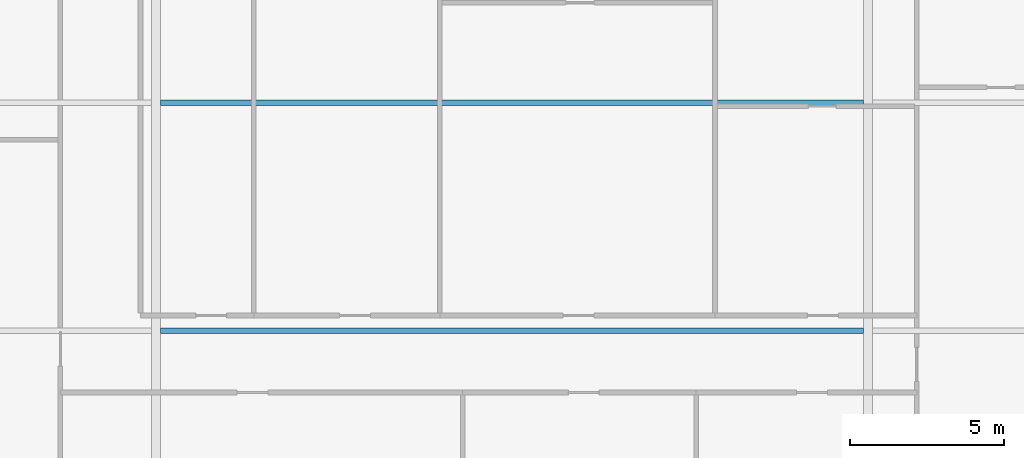
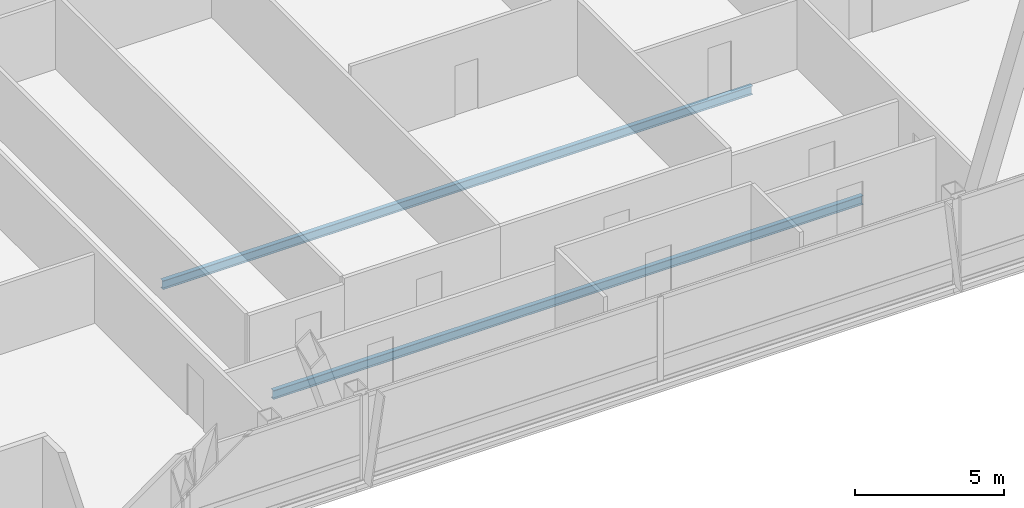
# One storey, part 8 of 29: 2 beams.
"""IFC4 building model written with IfcOpenShell, lengths in metres."""

import ifcopenshell
import ifcopenshell.guid

model = None  # the IFC model being written
_history = None  # IfcOwnerHistory: only IFC2X3 demands one
_inside = {}  # id of a spatial element -> (the spatial element, [elements in it])
_under = {}  # id of a project, library or spatial element -> (it, [spatial elements below it])
_declared = {}  # id of a project -> (the project, [libraries it declares])
_typed = {}  # id of a type object -> (the type object, [elements of that type])
_made_of = {}  # id of a material, layer set ... -> (it, [elements and type objects made of it])


def new_model(schema):
    """Start an empty IFC model of exactly this schema.

    Asked for "IFC4X3", IfcOpenShell would pick the latest addendum, in which some entities
    have other attributes; the version numbers below select the first issue.
    IFC2X3 requires an IfcOwnerHistory on every rooted entity: one is made here for all.
    """
    global model, _history
    if schema == "IFC4X3":
        model = ifcopenshell.file(schema_version=(4, 3, 0, 0))
    else:
        model = ifcopenshell.file(schema=schema)
    _inside.clear()
    _under.clear()
    _declared.clear()
    _typed.clear()
    _made_of.clear()
    _history = None
    if model.schema == "IFC2X3":
        org = make("IfcOrganization", Name="unknown")
        user = make(
            "IfcPersonAndOrganization",
            ThePerson=make("IfcPerson", FamilyName="unknown"),
            TheOrganization=org,
        )
        app = make(
            "IfcApplication",
            ApplicationDeveloper=org,
            Version="unknown",
            ApplicationFullName="unknown",
            ApplicationIdentifier="unknown",
        )
        _history = make(
            "IfcOwnerHistory",
            OwningUser=user,
            OwningApplication=app,
            ChangeAction="ADDED",
            CreationDate=0,
        )
    return model


def make(cls, **values):
    """One entity of the class cls with the attributes given. An attribute that is None is left unset."""
    return model.create_entity(
        cls, **{name: value for name, value in values.items() if value is not None}
    )


def rooted(cls, **values):
    """An entity with a GlobalId (a new one), such as an element, a storey or a relation."""
    return make(cls, GlobalId=ifcopenshell.guid.new(), OwnerHistory=_history, **values)


def si_unit(unit_type, name, prefix=None):
    """IfcSIUnit, for example si_unit("LENGTHUNIT", "METRE", prefix="MILLI")."""
    return make("IfcSIUnit", UnitType=unit_type, Prefix=prefix, Name=name)


def assignment(units):
    """IfcUnitAssignment: the units of a project."""
    return None if units is None else make("IfcUnitAssignment", Units=units)


def point(xyz):
    """IfcCartesianPoint."""
    return None if xyz is None else make("IfcCartesianPoint", Coordinates=xyz)


def direction(xyz):
    """IfcDirection."""
    return None if xyz is None else make("IfcDirection", DirectionRatios=xyz)


def frame(location, z_axis=None, x_axis=None):
    """IfcAxis2Placement3D, a coordinate frame: its origin and axes. An axis left out is left unset."""
    return make(
        "IfcAxis2Placement3D",
        Location=point(location),
        Axis=direction(z_axis),
        RefDirection=direction(x_axis),
    )


def frame_2d(location, x_axis=None):
    """IfcAxis2Placement2D, a coordinate frame in the plane: its origin and x axis."""
    return make(
        "IfcAxis2Placement2D", Location=point(location), RefDirection=direction(x_axis)
    )


def origin():
    """The frame at (0, 0, 0) with its axes left unset."""
    return frame((0.0, 0.0, 0.0))


def origin_2d():
    """The frame at (0, 0) in the plane with its x axis left unset."""
    return frame_2d((0.0, 0.0))


def place(relative_to, where):
    """IfcLocalPlacement: puts the frame where relative to a parent placement (None: the world)."""
    return make(
        "IfcLocalPlacement", PlacementRelTo=relative_to, RelativePlacement=where
    )


def context(
    kind, dimensions, precision=None, world=None, true_north=None, identifier=None
):
    """IfcGeometricRepresentationContext, for example the 3D "Model" context."""
    return make(
        "IfcGeometricRepresentationContext",
        ContextIdentifier=identifier,
        ContextType=kind,
        CoordinateSpaceDimension=dimensions,
        Precision=precision,
        WorldCoordinateSystem=world,
        TrueNorth=true_north,
    )


def subcontext(parent, identifier, kind, view, scale=None):
    """IfcGeometricRepresentationSubContext, for example "Body" below "Model"."""
    return make(
        "IfcGeometricRepresentationSubContext",
        ContextIdentifier=identifier,
        ContextType=kind,
        ParentContext=parent,
        TargetScale=scale,
        TargetView=view,
    )


def project(units=None, contexts=None):
    """IfcProject with its units and contexts."""
    return rooted(
        "IfcProject",
        Name="project",
        RepresentationContexts=contexts,
        UnitsInContext=assignment(units),
    )


def spatial(cls, under=None, at=None, **own):
    """A site, building, storey or space (cls), placed at a placement, below another one or the project."""
    s = rooted(cls, ObjectPlacement=at, **own)
    if under is not None:
        _under.setdefault(under.id(), (under, []))[1].append(s)
    return s


def profile(cls, at=None, kind="AREA", **sizes):
    """A parametric profile (cls). Its sizes go by their IFC names, for example OverallWidth=200.0."""
    return make(cls, ProfileType=kind, Position=at, **sizes)


def i_section(**sizes):
    """IfcIShapeProfileDef."""
    return profile("IfcIShapeProfileDef", **sizes)


def extrude(swept, where, along, depth):
    """IfcExtrudedAreaSolid: the profile swept, set in the frame where, extruded along a direction by depth."""
    return make(
        "IfcExtrudedAreaSolid",
        SweptArea=swept,
        Position=where,
        ExtrudedDirection=direction(along),
        Depth=depth,
    )


def shape(context_of_items, identifier, shape_type, items):
    """IfcShapeRepresentation: the items that make up one representation, for example the "Body"."""
    return make(
        "IfcShapeRepresentation",
        ContextOfItems=context_of_items,
        RepresentationIdentifier=identifier,
        RepresentationType=shape_type,
        Items=items,
    )


def material(Name=None, Category=None):
    """IfcMaterial."""
    return make("IfcMaterial", Name=Name, Category=Category)


def material_profile(
    of_material, cross_section, Name=None, Category=None, Priority=None
):
    """IfcMaterialProfile: a cross section and its material."""
    return make(
        "IfcMaterialProfile",
        Name=Name,
        Material=of_material,
        Profile=cross_section,
        Priority=Priority,
        Category=Category,
    )


def profile_set(profiles, Name=None, composite=None):
    """IfcMaterialProfileSet."""
    return make(
        "IfcMaterialProfileSet",
        Name=Name,
        MaterialProfiles=profiles,
        CompositeProfile=composite,
    )


def made_of(thing, what):
    """Note that an element or type object is made of a material, layer set ...; save() writes the relation."""
    if what is not None:
        _made_of.setdefault(what.id(), (what, []))[1].append(thing)
    return thing


def type_object(cls, material=None, **own):
    """A type object (cls), such as IfcWallType, which elements share."""
    return made_of(rooted(cls, **own), material)


def element(
    cls,
    number,
    at=None,
    inside=None,
    cuts=None,
    type_object=None,
    material=None,
    context=None,
    identifier="Body",
    shape_type=None,
    held_by="IfcProductDefinitionShape",
    body=None,
    shapes=None,
    **own,
):
    """One element of the class cls, such as IfcWall. Its Tag is "e" and its number.

    at: its placement. inside: the storey or other place that contains it. cuts: it is an
    opening in that element (IfcRelVoidsElement). A single representation is given by context,
    identifier, shape_type and body (its items); several are given by shapes. held_by: the class
    of the entity that holds the representations. save() writes the other relations.
    """
    e = rooted(cls, Tag="e%d" % number, ObjectPlacement=at, **own)
    if body is not None:
        shapes = [shape(context, identifier, shape_type, body)]
    if shapes is not None:
        e.Representation = make(held_by, Representations=shapes)
    if inside is not None:
        _inside.setdefault(inside.id(), (inside, []))[1].append(e)
    if cuts is not None:
        rooted(
            "IfcRelVoidsElement", RelatingBuildingElement=cuts, RelatedOpeningElement=e
        )
    if type_object is not None:
        _typed.setdefault(type_object.id(), (type_object, []))[1].append(e)
    return made_of(e, material)


def aggregate(whole, parts):
    """IfcRelAggregates: a whole, such as a stair, and the parts it consists of."""
    return rooted("IfcRelAggregates", RelatingObject=whole, RelatedObjects=parts)


def save(model, path):
    """Write the relations noted so far, then the file.

    IfcRelAggregates (storeys below a building ...), IfcRelContainedInSpatialStructure (elements
    in a storey), IfcRelDefinesByType, IfcRelAssociatesMaterial and IfcRelDeclares: one each for
    every whole, place, type object, material and project.
    """
    for whole, parts in _under.values():
        aggregate(whole, parts)
    for where, things in _inside.values():
        rooted(
            "IfcRelContainedInSpatialStructure",
            RelatedElements=things,
            RelatingStructure=where,
        )
    for kind, things in _typed.values():
        rooted("IfcRelDefinesByType", RelatedObjects=things, RelatingType=kind)
    for what, things in _made_of.values():
        rooted("IfcRelAssociatesMaterial", RelatedObjects=things, RelatingMaterial=what)
    for by, libraries in _declared.values():
        rooted("IfcRelDeclares", RelatingContext=by, RelatedDefinitions=libraries)
    model.write(path)


model = new_model("IFC4")

# Units and contexts
model_context = context("Model", 3, precision=1e-05, world=origin(), true_north=direction((0.0, 1.0)))
body_context = subcontext(model_context, "Body", "Model", "MODEL_VIEW")
ifc_project = project(units=[si_unit("LENGTHUNIT", "METRE"), si_unit("AREAUNIT", "SQUARE_METRE"), si_unit("VOLUMEUNIT", "CUBIC_METRE"), si_unit("PLANEANGLEUNIT", "RADIAN"), si_unit("MASSUNIT", "GRAM", prefix="KILO")], contexts=[model_context])

# Site, building, storey
site_placement = place(None, origin())
site = spatial("IfcSite", under=ifc_project, at=site_placement, CompositionType="ELEMENT")
building_placement = place(site_placement, origin())
building = spatial("IfcBuilding", under=site, at=building_placement, Name="Khoronbel Lancet Exchange", CompositionType="ELEMENT")
storey_placement = place(building_placement, frame((0.0, 0.0, 336.199951171875)))
storey = spatial("IfcBuildingStorey", under=building, at=storey_placement, Name="L87", CompositionType="ELEMENT", Elevation=336.199951171875)

# Beams
ifc_material = material(Name="Steel S355", Category="steel")
ifc_material_profile = material_profile(ifc_material, i_section(OverallWidth=0.169921875, OverallDepth=0.360107421875, WebThickness=0.008056640625, FlangeThickness=0.0126953125, at=origin_2d()), Name="IPE 360")
ifc_profile_set = profile_set([ifc_material_profile], Name="Steel S355")
beam_type = type_object("IfcBeamType", Name="BM-BJ6", PredefinedType="JOIST", material=ifc_profile_set)
for number, where, z_axis, x_axis, name in (
    (1, (25.050048828125, 16.0, -0.33984375), (1.0, 0.0, 0.0), (0.0, 1.0, 0.0), "Level L87 secondary composite joist J02"),
    (2, (25.050048828125, 23.39990234375, -0.33984375), (1.0, 0.0, 0.0), (0.0, 1.0, 0.0), "Level L87 secondary composite joist J05"),
):
    element("IfcBeam", number, at=place(storey_placement, frame(where, z_axis=z_axis, x_axis=x_axis)), inside=storey, type_object=beam_type, Name=name, PredefinedType="JOIST", context=body_context, shape_type="SweptSolid", body=[
        extrude(i_section(OverallWidth=0.169921875, OverallDepth=0.360107421875, WebThickness=0.008056640625, FlangeThickness=0.0126953125, at=origin_2d()), origin(), (0.0, 0.0, 1.0), 22.800048828125),
    ])

save(model, "model.ifc")
